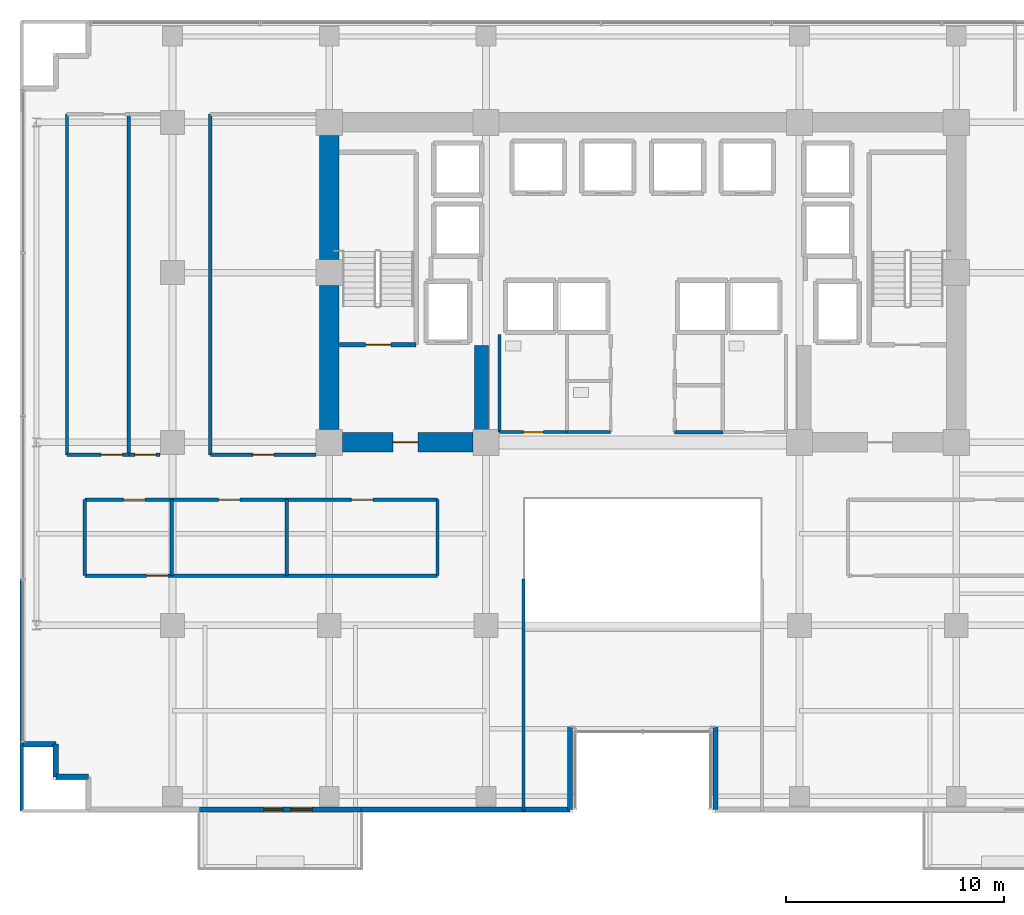
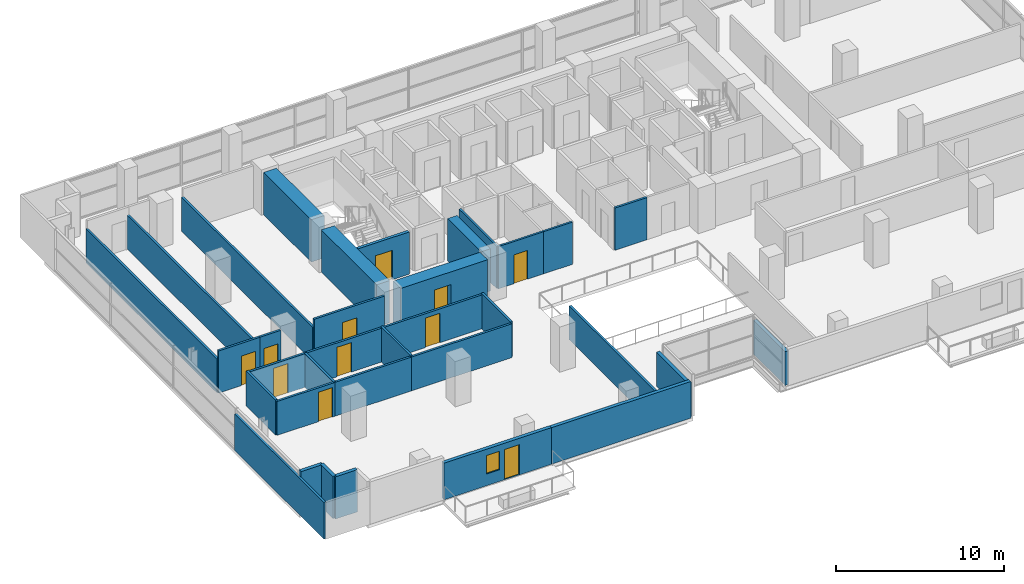
# One storey, part 19 of 26: 34 walls, 11 doors, 1 window, 12 openings.
"""IFC4 building model written with IfcOpenShell, lengths in metres."""

from ifc_helpers import new_model, si_unit, direction, frame, frame_2d, origin, place, context, subcontext, project, spatial, rectangle, extrude, source, transform, mapped, material, layer, layer_set, type_object, element, fill, save


model = new_model("IFC4")

# Units and contexts
model_context = context("Model", 3, precision=1e-05, world=origin(), true_north=direction((0.0, 1.0)))
body_context = subcontext(model_context, "Body", "Model", "MODEL_VIEW")
ifc_project = project(units=[si_unit("LENGTHUNIT", "METRE"), si_unit("AREAUNIT", "SQUARE_METRE"), si_unit("VOLUMEUNIT", "CUBIC_METRE"), si_unit("PLANEANGLEUNIT", "RADIAN"), si_unit("MASSUNIT", "GRAM", prefix="KILO")], contexts=[model_context])

# Site, building, storey
site_placement = place(None, origin())
site = spatial("IfcSite", under=ifc_project, at=site_placement, CompositionType="ELEMENT")
building_placement = place(site_placement, origin())
building = spatial("IfcBuilding", under=site, at=building_placement, Name="Zarnakvel Exchange Tower", CompositionType="ELEMENT")
storey_placement = place(building_placement, frame((0.0, 0.0, 70.300048828125)))
storey = spatial("IfcBuildingStorey", under=building, at=storey_placement, Name="L19", CompositionType="ELEMENT", Elevation=70.300048828125)

# Walls
ifc_material_1 = material(Name="Concrete C80/95", Category="concrete")
ifc_layer_1 = layer(ifc_material_1, 0.89990234375)
ifc_layer_set_1 = layer_set([ifc_layer_1], Name="Concrete C80/95")
wall_type_1 = type_object("IfcWallType", Name="CW-C1", PredefinedType="SHEAR", material=ifc_layer_set_1)
wall_1_placement = place(storey_placement, frame((-14.39990234375, -0.60009765625, 0.0), z_axis=(0.0, 0.0, 1.0), x_axis=(0.0, 1.0, 0.0)))
element("IfcWall", 1, at=wall_1_placement, inside=storey, type_object=wall_type_1, Name="L19 Rear Core Shear Wall W1 (CW-C1)", PredefinedType="SHEAR", context=body_context, shape_type="SweptSolid", body=[
    extrude(rectangle(XDim=6.60009765625, YDim=0.89990234375, at=frame_2d((3.300048828125, 0.0))), origin(), (0.0, 0.0, 1.0), 3.074951171875),
])
wall_2_placement = place(storey_placement, frame((-14.39990234375, 7.199951171875, 0.0), z_axis=(0.0, 0.0, 1.0), x_axis=(0.0, 1.0, 0.0)))
element("IfcWall", 2, at=wall_2_placement, inside=storey, type_object=wall_type_1, Name="L19 Rear Core Shear Wall W2 (CW-C1)", PredefinedType="SHEAR", context=body_context, shape_type="SweptSolid", body=[
    extrude(rectangle(XDim=5.699951171875, YDim=0.89990234375, at=frame_2d((2.85009765625, 0.0))), origin(), (0.0, 0.0, 1.0), 3.074951171875),
])

# Wall, opening, door
wall_3_placement = place(storey_placement, frame((-7.800048828125, -1.199951171875, 0.0), z_axis=(0.0, 0.0, 1.0), x_axis=(-1.0, 0.0, 0.0)))
wall_3 = element("IfcWall", 3, at=wall_3_placement, inside=storey, type_object=wall_type_1, Name="L19 Rear Core Shear Wall SW (CW-C1)", PredefinedType="SHEAR", context=body_context, shape_type="SweptSolid", body=[
    extrude(rectangle(XDim=6.0, YDim=0.89990234375, at=frame_2d((3.0, 0.0))), origin(), (0.0, 0.0, 1.0), 3.074951171875),
])
opening_1_placement = place(wall_3_placement, frame((2.52490234375, 0.0, 0.0)))
opening_1 = element("IfcOpeningElement", 4, at=opening_1_placement, cuts=wall_3, Name="Opening D-L19-03", PredefinedType="OPENING", context=body_context, shape_type="SweptSolid", body=[
    extrude(rectangle(XDim=1.14990234375, YDim=2.14990234375, at=frame_2d((0.574951171875, 1.074951171875))), frame((0.0, 0.4599609375, 0.0), z_axis=(0.0, -1.0, 0.0), x_axis=(1.0, 0.0, 0.0)), (0.0, 0.0, 1.0), 0.919921875),
])
ifc_material_2 = material(Name="Painted Galvanised Steel S355", Category="steel")
door_type_1 = type_object("IfcDoorType", Name="DT-04", OperationType="NOTDEFINED", PredefinedType="DOOR", material=ifc_material_2)
shared_shape_1 = source(origin(), body_context, "Body", "SweptSolid", [
    extrude(rectangle(XDim=1.14990234375, YDim=2.14990234375, at=frame_2d((0.574951171875, 1.074951171875))), frame((0.0, 0.02490234375, 0.0), z_axis=(0.0, -1.0, 0.0), x_axis=(1.0, 0.0, 0.0)), (0.0, 0.0, 1.0), 0.050048828125),
])
door_1_placement = place(opening_1_placement, origin())
door_1 = element("IfcDoor", 5, at=door_1_placement, inside=storey, type_object=door_type_1, Name="L19 Firefighting Lobby West Door D-L19-03", OperationType="SINGLE_SWING_LEFT", OverallHeight=2.14990234375, OverallWidth=1.14990234375, PredefinedType="DOOR", context=body_context, shape_type="MappedRepresentation", body=[
    mapped(shared_shape_1, transform((0.0, 0.0, 0.0), x_axis=(1.0, 0.0, 0.0), y_axis=(0.0, 1.0, 0.0), z_axis=(0.0, 0.0, 1.0), scale=1.0)),
])
fill(opening_1, door_1)

# Wall
ifc_layer_2 = layer(ifc_material_1, 0.64990234375)
ifc_layer_set_2 = layer_set([ifc_layer_2], Name="Concrete C80/95")
wall_type_2 = type_object("IfcWallType", Name="CW-C2", PredefinedType="SHEAR", material=ifc_layer_set_2)
wall_4_placement = place(storey_placement, frame((-7.39990234375, -0.75, 0.0), z_axis=(0.0, 0.0, 1.0), x_axis=(0.0, 1.0, 0.0)))
element("IfcWall", 6, at=wall_4_placement, inside=storey, type_object=wall_type_2, Name="L19 Rear Core Shear Wall IW (CW-C2)", PredefinedType="SHEAR", context=body_context, shape_type="SweptSolid", body=[
    extrude(rectangle(XDim=4.0, YDim=0.64990234375, at=frame_2d((2.0, 0.0))), origin(), (0.0, 0.0, 1.0), 3.074951171875),
])

# Wall, openings, door, window
ifc_material_3 = material(Name="Precast concrete C40/50", Category="concrete")
ifc_layer_3 = layer(ifc_material_3, 0.239990234375)
ifc_layer_set_3 = layer_set([ifc_layer_3], Name="Precast concrete C40/50")
wall_type_3 = type_object("IfcWallType", Name="EW-02", PredefinedType="SOLIDWALL", material=ifc_layer_set_3)
wall_5_placement = place(storey_placement, frame((-12.949951171875, -18.06005859375, 0.0), z_axis=(0.0, 0.0, 1.0), x_axis=(-1.0, 0.0, 0.0)))
wall_5 = element("IfcWall", 7, at=wall_5_placement, inside=storey, type_object=wall_type_3, Name="L19 Exterior Precast Spandrel Wall EW-BAL-L19-SW (EW-02)", PredefinedType="SOLIDWALL", context=body_context, shape_type="SweptSolid", body=[
    extrude(rectangle(XDim=7.400146484375, YDim=0.239990234375, at=frame_2d((3.7001953125, 0.0))), origin(), (0.0, 0.0, 1.0), 2.6650390625),
])
opening_2_placement = place(wall_5_placement, frame((2.219970703125, 0.0, 0.0)))
opening_2 = element("IfcOpeningElement", 8, at=opening_2_placement, cuts=wall_5, Name="Opening BD-L19-01", PredefinedType="OPENING", context=body_context, shape_type="SweptSolid", body=[
    extrude(rectangle(XDim=1.0, YDim=2.199951171875, at=frame_2d((0.5, 1.10009765625))), frame((0.0, 0.1298828125, 0.0), z_axis=(0.0, -1.0, 0.0), x_axis=(1.0, 0.0, 0.0)), (0.0, 0.0, 1.0), 0.260009765625),
])
opening_3_placement = place(wall_5_placement, frame((3.570068359375, 0.0, 0.85009765625)))
opening_3 = element("IfcOpeningElement", 9, at=opening_3_placement, cuts=wall_5, Name="Opening WN-06", PredefinedType="OPENING", context=body_context, shape_type="SweptSolid", body=[
    extrude(rectangle(XDim=0.89990234375, YDim=1.35009765625, at=frame_2d((0.449951171875, 0.675048828125))), frame((0.0, 0.1298828125, 0.0), z_axis=(0.0, -1.0, 0.0), x_axis=(1.0, 0.0, 0.0)), (0.0, 0.0, 1.0), 0.260009765625),
])
ifc_material_4 = material(Name="Architectural Bronze Anodised Aluminium", Category="aluminium")
door_type_2 = type_object("IfcDoorType", Name="DT-09", OperationType="NOTDEFINED", PredefinedType="DOOR", material=ifc_material_4)
shared_shape_2 = source(origin(), body_context, "Body", "SweptSolid", [
    extrude(rectangle(XDim=1.0, YDim=2.199951171875, at=frame_2d((0.5, 1.10009765625))), frame((0.0, 0.02490234375, 0.0), z_axis=(0.0, -1.0, 0.0), x_axis=(1.0, 0.0, 0.0)), (0.0, 0.0, 1.0), 0.050048828125),
])
door_2_placement = place(opening_2_placement, origin())
door_2 = element("IfcDoor", 10, at=door_2_placement, inside=storey, type_object=door_type_2, Name="L19 Planted Loggia Balcony Door BD-L19-01", OperationType="SINGLE_SWING_LEFT", OverallHeight=2.199951171875, OverallWidth=1.0, PredefinedType="DOOR", context=body_context, shape_type="MappedRepresentation", body=[
    mapped(shared_shape_2, transform((0.0, 0.0, 0.0), x_axis=(1.0, 0.0, 0.0), y_axis=(0.0, 1.0, 0.0), z_axis=(0.0, 0.0, 1.0), scale=1.0)),
])
fill(opening_2, door_2)
ifc_material_5 = material(Name="Double Low-E Laminated Vision Glass", Category="glass")
window_type = type_object("IfcWindowType", Name="WN-06", PartitioningType="SINGLE_PANEL", PredefinedType="WINDOW", material=ifc_material_5)
shared_shape_3 = source(origin(), body_context, "Body", "SweptSolid", [
    extrude(rectangle(XDim=0.89990234375, YDim=1.35009765625, at=frame_2d((0.449951171875, 0.675048828125))), frame((0.0, 0.030029296875, 0.0), z_axis=(0.0, -1.0, 0.0), x_axis=(1.0, 0.0, 0.0)), (0.0, 0.0, 1.0), 0.06005859375),
])
window_placement = place(opening_3_placement, origin())
window = element("IfcWindow", 11, at=window_placement, inside=storey, type_object=window_type, Name="L19 Loggia Daylight Window (WN-06)", OverallHeight=1.35009765625, OverallWidth=0.89990234375, PartitioningType="SINGLE_PANEL", PredefinedType="WINDOW", context=body_context, shape_type="MappedRepresentation", body=[
    mapped(shared_shape_3, transform((0.0, 0.0, 0.0), x_axis=(1.0, 0.0, 0.0), y_axis=(0.0, 1.0, 0.0), z_axis=(0.0, 0.0, 1.0), scale=1.0)),
])
fill(opening_3, window)

# Walls
for number, where, z_axis, x_axis, name in (
    (12, (3.340087890625, -14.260009765625, 0.0), (0.0, 0.0, 1.0), (0.0, -1.0, 0.0), "L19 Exterior Precast Spandrel Wall EWC-L19-17 (EW-02)"),
    (13, (-3.340087890625, -18.06005859375, 0.0), (0.0, 0.0, 1.0), (0.0, 1.0, 0.0), "L19 Exterior Precast Spandrel Wall EWC-L19-20 (EW-02)"),
):
    element("IfcWall", number, at=place(storey_placement, frame(where, z_axis=z_axis, x_axis=x_axis)), inside=storey, type_object=wall_type_3, Name=name, PredefinedType="SOLIDWALL", context=body_context, shape_type="SweptSolid", body=[
        extrude(rectangle(XDim=3.800048828125, YDim=0.239990234375, at=frame_2d((1.89990234375, 0.0))), origin(), (0.0, 0.0, 1.0), 2.46484375),
    ])
wall_6_placement = place(storey_placement, frame((-12.949951171875, -18.06005859375, 0.0), z_axis=(0.0, 0.0, 1.0), x_axis=(1.0, 0.0, 0.0)))
element("IfcWall", 14, at=wall_6_placement, inside=storey, type_object=wall_type_3, Name="L19 Exterior Precast Spandrel Wall EWC-L19-21 (EW-02)", PredefinedType="SOLIDWALL", context=body_context, shape_type="SweptSolid", body=[
    extrude(rectangle(XDim=9.60986328125, YDim=0.239990234375, at=frame_2d((4.804931640625, 0.0))), origin(), (0.0, 0.0, 1.0), 2.6650390625),
])
for number, where, z_axis, x_axis, name in (
    (15, (-26.9599609375, -16.56005859375, 0.0), (0.0, 0.0, 1.0), (1.0, 0.0, 0.0), "L19 Exterior Precast Spandrel Wall EWC-L19-24 (EW-02)"),
    (16, (-26.9599609375, -15.06005859375, 0.0), (0.0, 0.0, 1.0), (0.0, -1.0, 0.0), "L19 Exterior Precast Spandrel Wall EWC-L19-25 (EW-02)"),
    (17, (-28.4599609375, -15.06005859375, 0.0), (0.0, 0.0, 1.0), (1.0, 0.0, 0.0), "L19 Exterior Precast Spandrel Wall EWC-L19-26 (EW-02)"),
):
    element("IfcWall", number, at=place(storey_placement, frame(where, z_axis=z_axis, x_axis=x_axis)), inside=storey, type_object=wall_type_3, Name=name, PredefinedType="SOLIDWALL", context=body_context, shape_type="SweptSolid", body=[
        extrude(rectangle(XDim=1.5, YDim=0.239990234375, at=frame_2d((0.75, 0.0))), origin(), (0.0, 0.0, 1.0), 3.074951171875),
    ])
ifc_material_6 = material(Name="Fire-Rated Gypsum Stud Partition", Category="gypsum")
ifc_layer_4 = layer(ifc_material_6, 0.14990234375)
ifc_layer_set_4 = layer_set([ifc_layer_4], Name="Fire-Rated Gypsum Stud Partition")
wall_type_4 = type_object("IfcWallType", Name="PT-01", PredefinedType="PARTITIONING", material=ifc_layer_set_4)
wall_7_placement = place(storey_placement, frame((3.679931640625, -0.72998046875, 0.0), z_axis=(0.0, 0.0, 1.0), x_axis=(-1.0, 0.0, 0.0)))
element("IfcWall", 18, at=wall_7_placement, inside=storey, type_object=wall_type_4, Name="L19 Partition Wall PWALL-L19-018 (PT-01)", PredefinedType="PARTITIONING", context=body_context, shape_type="SweptSolid", body=[
    extrude(rectangle(XDim=2.2099609375, YDim=0.14990234375, at=frame_2d((1.10498046875, 0.0))), origin(), (0.0, 0.0, 1.0), 3.074951171875),
])

# Wall, opening, door
wall_8_placement = place(storey_placement, frame((-21.630126953125, -7.320068359375, 0.0), z_axis=(0.0, 0.0, 1.0), x_axis=(-1.0, 0.0, 0.0)))
wall_8 = element("IfcWall", 19, at=wall_8_placement, inside=storey, type_object=wall_type_4, Name="L19 Partition Wall PWALL-L19-026 (PT-01)", PredefinedType="PARTITIONING", context=body_context, shape_type="SweptSolid", body=[
    extrude(rectangle(XDim=3.998291015625, YDim=0.14990234375, at=frame_2d((1.9990234375, 0.0))), origin(), (0.0, 0.0, 1.0), 2.46484375),
])
opening_4_placement = place(wall_8_placement, frame((0.179931640625, 0.0, 0.0)))
opening_4 = element("IfcOpeningElement", 20, at=opening_4_placement, cuts=wall_8, Name="Opening D-L19-14", PredefinedType="OPENING", context=body_context, shape_type="SweptSolid", body=[
    extrude(rectangle(XDim=0.97998046875, YDim=2.14990234375, at=frame_2d((0.489990234375, 1.074951171875))), frame((0.0, 0.0849609375, 0.0), z_axis=(0.0, -1.0, 0.0), x_axis=(1.0, 0.0, 0.0)), (0.0, 0.0, 1.0), 0.169921875),
])
ifc_material_7 = material(Name="Timber Acoustic Veneer", Category="wood")
door_type_3 = type_object("IfcDoorType", Name="DT-05", OperationType="NOTDEFINED", PredefinedType="DOOR", material=ifc_material_7)
shared_shape_4 = source(origin(), body_context, "Body", "SweptSolid", [
    extrude(rectangle(XDim=0.97998046875, YDim=2.14990234375, at=frame_2d((0.489990234375, 1.074951171875))), frame((0.0, 0.02490234375, 0.0), z_axis=(0.0, -1.0, 0.0), x_axis=(1.0, 0.0, 0.0)), (0.0, 0.0, 1.0), 0.050048828125),
])
door_3_placement = place(opening_4_placement, origin())
door_3 = element("IfcDoor", 21, at=door_3_placement, inside=storey, type_object=door_type_3, Name="L19 Equities Trading Floor Door D-L19-14", OperationType="SINGLE_SWING_RIGHT", OverallHeight=2.14990234375, OverallWidth=0.97998046875, PredefinedType="DOOR", context=body_context, shape_type="MappedRepresentation", body=[
    mapped(shared_shape_4, transform((0.0, 0.0, 0.0), x_axis=(1.0, 0.0, 0.0), y_axis=(0.0, 1.0, 0.0), z_axis=(0.0, 0.0, 1.0), scale=1.0)),
])
fill(opening_4, door_3)

wall_9_placement = place(storey_placement, frame((-25.62841796875, -3.830078125, 0.0), z_axis=(0.0, 0.0, 1.0), x_axis=(1.0, 0.0, 0.0)))
wall_9 = element("IfcWall", 22, at=wall_9_placement, inside=storey, type_object=wall_type_4, Name="L19 Partition Wall PWALL-L19-027 (PT-01)", PredefinedType="PARTITIONING", context=body_context, shape_type="SweptSolid", body=[
    extrude(rectangle(XDim=3.998291015625, YDim=0.14990234375, at=frame_2d((1.9990234375, 0.0))), origin(), (0.0, 0.0, 1.0), 2.46484375),
])
opening_5_placement = place(wall_9_placement, frame((1.783447265625, 0.0, 0.0)))
opening_5 = element("IfcOpeningElement", 23, at=opening_5_placement, cuts=wall_9, Name="Opening D-L19-11", PredefinedType="OPENING", context=body_context, shape_type="SweptSolid", body=[
    extrude(rectangle(XDim=0.97998046875, YDim=2.14990234375, at=frame_2d((0.489990234375, 1.074951171875))), frame((0.0, 0.0849609375, 0.0), z_axis=(0.0, -1.0, 0.0), x_axis=(1.0, 0.0, 0.0)), (0.0, 0.0, 1.0), 0.169921875),
])
door_4_placement = place(opening_5_placement, origin())
door_4 = element("IfcDoor", 24, at=door_4_placement, inside=storey, type_object=door_type_3, Name="L19 Asset Management Office Door D-L19-11", OperationType="SINGLE_SWING_LEFT", OverallHeight=2.14990234375, OverallWidth=0.97998046875, PredefinedType="DOOR", context=body_context, shape_type="MappedRepresentation", body=[
    mapped(shared_shape_4, transform((0.0, 0.0, 0.0), x_axis=(1.0, 0.0, 0.0), y_axis=(0.0, 1.0, 0.0), z_axis=(0.0, 0.0, 1.0), scale=1.0)),
])
fill(opening_5, door_4)

# Walls
wall_10_placement = place(storey_placement, frame((-25.62841796875, -7.320068359375, 0.0), z_axis=(0.0, 0.0, 1.0), x_axis=(0.0, 1.0, 0.0)))
element("IfcWall", 25, at=wall_10_placement, inside=storey, type_object=wall_type_4, Name="L19 Partition Wall PWALL-L19-028 (PT-01)", PredefinedType="PARTITIONING", context=body_context, shape_type="SweptSolid", body=[
    extrude(rectangle(XDim=3.489990234375, YDim=0.14990234375, at=frame_2d((1.7451171875, 0.0))), origin(), (0.0, 0.0, 1.0), 2.56494140625),
])
wall_11_placement = place(storey_placement, frame((-21.630126953125, -3.830078125, 0.0), z_axis=(0.0, 0.0, 1.0), x_axis=(0.0, -1.0, 0.0)))
element("IfcWall", 26, at=wall_11_placement, inside=storey, type_object=wall_type_4, Name="L19 Partition Wall PWALL-L19-029 (PT-01)", PredefinedType="PARTITIONING", context=body_context, shape_type="SweptSolid", body=[
    extrude(rectangle(XDim=3.489990234375, YDim=0.14990234375, at=frame_2d((1.7451171875, 0.0))), origin(), (0.0, 0.0, 1.0), 2.46484375),
])
wall_12_placement = place(storey_placement, frame((-16.3525390625, -7.320068359375, 0.0), z_axis=(0.0, 0.0, 1.0), x_axis=(-1.0, 0.0, 0.0)))
element("IfcWall", 27, at=wall_12_placement, inside=storey, type_object=wall_type_4, Name="L19 Partition Wall PWALL-L19-030 (PT-01)", PredefinedType="PARTITIONING", context=body_context, shape_type="SweptSolid", body=[
    extrude(rectangle(XDim=5.277587890625, YDim=0.14990234375, at=frame_2d((2.638671875, 0.0))), origin(), (0.0, 0.0, 1.0), 2.46484375),
])

# Wall, opening, door
wall_13_placement = place(storey_placement, frame((-21.630126953125, -3.830078125, 0.0), z_axis=(0.0, 0.0, 1.0), x_axis=(1.0, 0.0, 0.0)))
wall_13 = element("IfcWall", 28, at=wall_13_placement, inside=storey, type_object=wall_type_4, Name="L19 Partition Wall PWALL-L19-031 (PT-01)", PredefinedType="PARTITIONING", context=body_context, shape_type="SweptSolid", body=[
    extrude(rectangle(XDim=5.277587890625, YDim=0.14990234375, at=frame_2d((2.638671875, 0.0))), origin(), (0.0, 0.0, 1.0), 2.46484375),
])
opening_6_placement = place(wall_13_placement, frame((2.149169921875, 0.0, 0.0)))
opening_6 = element("IfcOpeningElement", 29, at=opening_6_placement, cuts=wall_13, Name="Opening D-L19-12", PredefinedType="OPENING", context=body_context, shape_type="SweptSolid", body=[
    extrude(rectangle(XDim=0.97998046875, YDim=2.14990234375, at=frame_2d((0.489990234375, 1.074951171875))), frame((0.0, 0.0849609375, 0.0), z_axis=(0.0, -1.0, 0.0), x_axis=(1.0, 0.0, 0.0)), (0.0, 0.0, 1.0), 0.169921875),
])
door_5_placement = place(opening_6_placement, origin())
door_5 = element("IfcDoor", 30, at=door_5_placement, inside=storey, type_object=door_type_3, Name="L19 Meeting Room Door D-L19-12", OperationType="SINGLE_SWING_RIGHT", OverallHeight=2.14990234375, OverallWidth=0.97998046875, PredefinedType="DOOR", context=body_context, shape_type="MappedRepresentation", body=[
    mapped(shared_shape_4, transform((0.0, 0.0, 0.0), x_axis=(1.0, 0.0, 0.0), y_axis=(0.0, 1.0, 0.0), z_axis=(0.0, 0.0, 1.0), scale=1.0)),
])
fill(opening_6, door_5)

# Walls
wall_14_placement = place(storey_placement, frame((-16.3525390625, -3.830078125, 0.0), z_axis=(0.0, 0.0, 1.0), x_axis=(0.0, -1.0, 0.0)))
element("IfcWall", 31, at=wall_14_placement, inside=storey, type_object=wall_type_4, Name="L19 Partition Wall PWALL-L19-032 (PT-01)", PredefinedType="PARTITIONING", context=body_context, shape_type="SweptSolid", body=[
    extrude(rectangle(XDim=3.489990234375, YDim=0.14990234375, at=frame_2d((1.7451171875, 0.0))), origin(), (0.0, 0.0, 1.0), 2.56494140625),
])
wall_15_placement = place(storey_placement, frame((-9.429931640625, -7.320068359375, 0.0), z_axis=(0.0, 0.0, 1.0), x_axis=(-1.0, 0.0, 0.0)))
element("IfcWall", 32, at=wall_15_placement, inside=storey, type_object=wall_type_4, Name="L19 Partition Wall PWALL-L19-033 (PT-01)", PredefinedType="PARTITIONING", context=body_context, shape_type="SweptSolid", body=[
    extrude(rectangle(XDim=6.922607421875, YDim=0.14990234375, at=frame_2d((3.46142578125, 0.0))), origin(), (0.0, 0.0, 1.0), 2.46484375),
])

# Wall, opening, door
wall_16_placement = place(storey_placement, frame((-16.3525390625, -3.830078125, 0.0), z_axis=(0.0, 0.0, 1.0), x_axis=(1.0, 0.0, 0.0)))
wall_16 = element("IfcWall", 33, at=wall_16_placement, inside=storey, type_object=wall_type_4, Name="L19 Partition Wall PWALL-L19-034 (PT-01)", PredefinedType="PARTITIONING", context=body_context, shape_type="SweptSolid", body=[
    extrude(rectangle(XDim=6.922607421875, YDim=0.14990234375, at=frame_2d((3.46142578125, 0.0))), origin(), (0.0, 0.0, 1.0), 2.46484375),
])
opening_7_placement = place(wall_16_placement, frame((2.9716796875, 0.0, 0.0)))
opening_7 = element("IfcOpeningElement", 34, at=opening_7_placement, cuts=wall_16, Name="Opening D-L19-13", PredefinedType="OPENING", context=body_context, shape_type="SweptSolid", body=[
    extrude(rectangle(XDim=0.97998046875, YDim=2.14990234375, at=frame_2d((0.489990234375, 1.074951171875))), frame((0.0, 0.0849609375, 0.0), z_axis=(0.0, -1.0, 0.0), x_axis=(1.0, 0.0, 0.0)), (0.0, 0.0, 1.0), 0.169921875),
])
door_6_placement = place(opening_7_placement, origin())
door_6 = element("IfcDoor", 35, at=door_6_placement, inside=storey, type_object=door_type_3, Name="L19 Executive Office Door D-L19-13", OperationType="SINGLE_SWING_LEFT", OverallHeight=2.14990234375, OverallWidth=0.97998046875, PredefinedType="DOOR", context=body_context, shape_type="MappedRepresentation", body=[
    mapped(shared_shape_4, transform((0.0, 0.0, 0.0), x_axis=(1.0, 0.0, 0.0), y_axis=(0.0, 1.0, 0.0), z_axis=(0.0, 0.0, 1.0), scale=1.0)),
])
fill(opening_7, door_6)

# Walls
wall_17_placement = place(storey_placement, frame((-9.429931640625, -3.830078125, 0.0), z_axis=(0.0, 0.0, 1.0), x_axis=(0.0, -1.0, 0.0)))
element("IfcWall", 36, at=wall_17_placement, inside=storey, type_object=wall_type_4, Name="L19 Partition Wall PWALL-L19-035 (PT-01)", PredefinedType="PARTITIONING", context=body_context, shape_type="SweptSolid", body=[
    extrude(rectangle(XDim=3.489990234375, YDim=0.14990234375, at=frame_2d((1.7451171875, 0.0))), origin(), (0.0, 0.0, 1.0), 2.56494140625),
])
wall_18_placement = place(storey_placement, frame((-28.530029296875, -18.1298828125, 0.0), z_axis=(0.0, 0.0, 1.0), x_axis=(0.0, 1.0, 0.0)))
element("IfcWall", 37, at=wall_18_placement, inside=storey, type_object=wall_type_4, Name="L19 Partition Wall PWALL-L19-037 (PT-01)", PredefinedType="PARTITIONING", context=body_context, shape_type="SweptSolid", body=[
    extrude(rectangle(XDim=10.64990234375, YDim=0.14990234375, at=frame_2d((5.324951171875, 0.0))), origin(), (0.0, 0.0, 1.0), 2.6650390625),
])
wall_19_placement = place(storey_placement, frame((-5.47998046875, -7.47998046875, 0.0), z_axis=(0.0, 0.0, 1.0), x_axis=(0.0, -1.0, 0.0)))
element("IfcWall", 38, at=wall_19_placement, inside=storey, type_object=wall_type_4, Name="L19 Partition Wall PWALL-L19-038 (PT-01)", PredefinedType="PARTITIONING", context=body_context, shape_type="SweptSolid", body=[
    extrude(rectangle(XDim=10.64990234375, YDim=0.14990234375, at=frame_2d((5.324951171875, 0.0))), origin(), (0.0, 0.0, 1.0), 2.46484375),
])

# Wall, opening, door
wall_20_placement = place(storey_placement, frame((-23.60498046875, -1.77001953125, 0.0), z_axis=(0.0, 0.0, 1.0), x_axis=(-1.0, 0.0, 0.0)))
wall_20 = element("IfcWall", 39, at=wall_20_placement, inside=storey, type_object=wall_type_4, Name="L19 Partition Wall PWALL-L19-049 (PT-01)", PredefinedType="PARTITIONING", context=body_context, shape_type="SweptSolid", body=[
    extrude(rectangle(XDim=2.84619140625, YDim=0.14990234375, at=frame_2d((1.423095703125, 0.0))), origin(), (0.0, 0.0, 1.0), 3.074951171875),
])
opening_8_placement = place(wall_20_placement, frame((0.2900390625, 0.0, 0.0)))
opening_8 = element("IfcOpeningElement", 40, at=opening_8_placement, cuts=wall_20, Name="Opening D-L19-18", PredefinedType="OPENING", context=body_context, shape_type="SweptSolid", body=[
    extrude(rectangle(XDim=0.97998046875, YDim=2.14990234375, at=frame_2d((0.489990234375, 1.074951171875))), frame((0.0, 0.0849609375, 0.0), z_axis=(0.0, -1.0, 0.0), x_axis=(1.0, 0.0, 0.0)), (0.0, 0.0, 1.0), 0.169921875),
])
door_7_placement = place(opening_8_placement, origin())
door_7 = element("IfcDoor", 41, at=door_7_placement, inside=storey, type_object=door_type_3, Name="L19 Staff Pantry Door D-L19-18", OperationType="SINGLE_SWING_RIGHT", OverallHeight=2.14990234375, OverallWidth=0.97998046875, PredefinedType="DOOR", context=body_context, shape_type="MappedRepresentation", body=[
    mapped(shared_shape_4, transform((0.0, 0.0, 0.0), x_axis=(1.0, 0.0, 0.0), y_axis=(0.0, 1.0, 0.0), z_axis=(0.0, 0.0, 1.0), scale=1.0)),
])
fill(opening_8, door_7)

# Walls
for number, where, z_axis, x_axis, name in (
    (42, (-26.451171875, -1.77001953125, 0.0), (0.0, 0.0, 1.0), (0.0, 1.0, 0.0), "L19 Partition Wall PWALL-L19-051 (PT-01)"),
    (43, (-23.60498046875, 13.8798828125, 0.0), (0.0, 0.0, 1.0), (0.0, -1.0, 0.0), "L19 Partition Wall PWALL-L19-052 (PT-01)"),
):
    element("IfcWall", number, at=place(storey_placement, frame(where, z_axis=z_axis, x_axis=x_axis)), inside=storey, type_object=wall_type_4, Name=name, PredefinedType="PARTITIONING", context=body_context, shape_type="SweptSolid", body=[
        extrude(rectangle(XDim=15.64990234375, YDim=0.14990234375, at=frame_2d((7.824951171875, 0.0))), origin(), (0.0, 0.0, 1.0), 2.46484375),
    ])

# Wall, opening, door
wall_21_placement = place(storey_placement, frame((-22.169921875, -1.77001953125, 0.0), z_axis=(0.0, 0.0, 1.0), x_axis=(-1.0, 0.0, 0.0)))
wall_21 = element("IfcWall", 44, at=wall_21_placement, inside=storey, type_object=wall_type_4, Name="L19 Partition Wall PWALL-L19-053 (PT-01)", PredefinedType="PARTITIONING", context=body_context, shape_type="SweptSolid", body=[
    extrude(rectangle(XDim=1.43505859375, YDim=0.14990234375, at=frame_2d((0.717529296875, 0.0))), origin(), (0.0, 0.0, 1.0), 3.074951171875),
])
opening_9_placement = place(wall_21_placement, frame((0.179931640625, 0.0, 0.0)))
opening_9 = element("IfcOpeningElement", 45, at=opening_9_placement, cuts=wall_21, Name="Opening D-L19-19", PredefinedType="OPENING", context=body_context, shape_type="SweptSolid", body=[
    extrude(rectangle(XDim=0.97998046875, YDim=2.14990234375, at=frame_2d((0.489990234375, 1.074951171875))), frame((0.0, 0.0849609375, 0.0), z_axis=(0.0, -1.0, 0.0), x_axis=(1.0, 0.0, 0.0)), (0.0, 0.0, 1.0), 0.169921875),
])
door_8_placement = place(opening_9_placement, origin())
door_8 = element("IfcDoor", 46, at=door_8_placement, inside=storey, type_object=door_type_3, Name="L19 Risk Analytics Suite Door D-L19-19", OperationType="SINGLE_SWING_LEFT", OverallHeight=2.14990234375, OverallWidth=0.97998046875, PredefinedType="DOOR", context=body_context, shape_type="MappedRepresentation", body=[
    mapped(shared_shape_4, transform((0.0, 0.0, 0.0), x_axis=(1.0, 0.0, 0.0), y_axis=(0.0, 1.0, 0.0), z_axis=(0.0, 0.0, 1.0), scale=1.0)),
])
fill(opening_9, door_8)

# Wall
wall_22_placement = place(storey_placement, frame((-19.863037109375, 13.8798828125, 0.0), z_axis=(0.0, 0.0, 1.0), x_axis=(0.0, -1.0, 0.0)))
element("IfcWall", 47, at=wall_22_placement, inside=storey, type_object=wall_type_4, Name="L19 Partition Wall PWALL-L19-055 (PT-01)", PredefinedType="PARTITIONING", context=body_context, shape_type="SweptSolid", body=[
    extrude(rectangle(XDim=15.64990234375, YDim=0.14990234375, at=frame_2d((7.824951171875, 0.0))), origin(), (0.0, 0.0, 1.0), 2.46484375),
])

# Wall, opening, door
wall_23_placement = place(storey_placement, frame((-15.02001953125, -1.77001953125, 0.0), z_axis=(0.0, 0.0, 1.0), x_axis=(-1.0, 0.0, 0.0)))
wall_23 = element("IfcWall", 48, at=wall_23_placement, inside=storey, type_object=wall_type_4, Name="L19 Partition Wall PWALL-L19-056 (PT-01)", PredefinedType="PARTITIONING", context=body_context, shape_type="SweptSolid", body=[
    extrude(rectangle(XDim=4.843017578125, YDim=0.14990234375, at=frame_2d((2.42138671875, 0.0))), origin(), (0.0, 0.0, 1.0), 3.074951171875),
])
opening_10_placement = place(wall_23_placement, frame((1.906982421875, 0.0, 0.0)))
opening_10 = element("IfcOpeningElement", 49, at=opening_10_placement, cuts=wall_23, Name="Opening D-L19-20", PredefinedType="OPENING", context=body_context, shape_type="SweptSolid", body=[
    extrude(rectangle(XDim=0.97998046875, YDim=2.14990234375, at=frame_2d((0.489990234375, 1.074951171875))), frame((0.0, 0.0849609375, 0.0), z_axis=(0.0, -1.0, 0.0), x_axis=(1.0, 0.0, 0.0)), (0.0, 0.0, 1.0), 0.169921875),
])
door_9_placement = place(opening_10_placement, origin())
door_9 = element("IfcDoor", 50, at=door_9_placement, inside=storey, type_object=door_type_3, Name="L19 Members Lounge Door D-L19-20", OperationType="SINGLE_SWING_RIGHT", OverallHeight=2.14990234375, OverallWidth=0.97998046875, PredefinedType="DOOR", context=body_context, shape_type="MappedRepresentation", body=[
    mapped(shared_shape_4, transform((0.0, 0.0, 0.0), x_axis=(1.0, 0.0, 0.0), y_axis=(0.0, 1.0, 0.0), z_axis=(0.0, 0.0, 1.0), scale=1.0)),
])
fill(opening_10, door_9)

ifc_material_8 = material(Name="Moisture-Resistant Tile-Faced Partition", Category="gypsum")
ifc_layer_5 = layer(ifc_material_8, 0.135009765625)
ifc_layer_set_5 = layer_set([ifc_layer_5], Name="Moisture-Resistant Tile-Faced Partition")
wall_type_5 = type_object("IfcWallType", Name="PT-03", PredefinedType="PARTITIONING", material=ifc_layer_set_5)
wall_24_placement = place(storey_placement, frame((-3.469970703125, -0.72998046875, 0.0), z_axis=(0.0, 0.0, 1.0), x_axis=(-1.0, 0.0, 0.0)))
wall_24 = element("IfcWall", 51, at=wall_24_placement, inside=storey, type_object=wall_type_5, Name="L19 Partition Wall PWALL-L19-011 (PT-03)", PredefinedType="PARTITIONING", context=body_context, shape_type="SweptSolid", body=[
    extrude(rectangle(XDim=3.110107421875, YDim=0.135009765625, at=frame_2d((1.55517578125, 0.0))), origin(), (0.0, 0.0, 1.0), 3.074951171875),
])
opening_11_placement = place(wall_24_placement, frame((1.090087890625, 0.0, 0.0)))
opening_11 = element("IfcOpeningElement", 52, at=opening_11_placement, cuts=wall_24, Name="Opening D-L19-05", PredefinedType="OPENING", context=body_context, shape_type="SweptSolid", body=[
    extrude(rectangle(XDim=0.919921875, YDim=2.10009765625, at=frame_2d((0.4599609375, 1.050048828125))), frame((0.0, 0.077392578125, 0.0), z_axis=(0.0, -1.0, 0.0), x_axis=(1.0, 0.0, 0.0)), (0.0, 0.0, 1.0), 0.155029296875),
])
ifc_material_9 = material(Name="Moisture-Resistant Laminate Timber", Category="wood")
door_type_4 = type_object("IfcDoorType", Name="DT-07", OperationType="NOTDEFINED", PredefinedType="DOOR", material=ifc_material_9)
shared_shape_5 = source(origin(), body_context, "Body", "SweptSolid", [
    extrude(rectangle(XDim=0.919921875, YDim=2.10009765625, at=frame_2d((0.4599609375, 1.050048828125))), frame((0.0, 0.02490234375, 0.0), z_axis=(0.0, -1.0, 0.0), x_axis=(1.0, 0.0, 0.0)), (0.0, 0.0, 1.0), 0.050048828125),
])
door_10_placement = place(opening_11_placement, origin())
door_10 = element("IfcDoor", 53, at=door_10_placement, inside=storey, type_object=door_type_4, Name="L19 Male Toilet Door D-L19-05", OperationType="SINGLE_SWING_LEFT", OverallHeight=2.10009765625, OverallWidth=0.919921875, PredefinedType="DOOR", context=body_context, shape_type="MappedRepresentation", body=[
    mapped(shared_shape_5, transform((0.0, 0.0, 0.0), x_axis=(1.0, 0.0, 0.0), y_axis=(0.0, 1.0, 0.0), z_axis=(0.0, 0.0, 1.0), scale=1.0)),
])
fill(opening_11, door_10)

# Walls
wall_25_placement = place(storey_placement, frame((-6.580078125, -0.72998046875, 0.0), z_axis=(0.0, 0.0, 1.0), x_axis=(0.0, 1.0, 0.0)))
element("IfcWall", 54, at=wall_25_placement, inside=storey, type_object=wall_type_5, Name="L19 Partition Wall PWALL-L19-012 (PT-03)", PredefinedType="PARTITIONING", context=body_context, shape_type="SweptSolid", body=[
    extrude(rectangle(XDim=4.489990234375, YDim=0.135009765625, at=frame_2d((2.2451171875, 0.0))), origin(), (0.0, 0.0, 1.0), 3.074951171875),
])
wall_26_placement = place(storey_placement, frame((-1.469970703125, -0.72998046875, 0.0), z_axis=(0.0, 0.0, 1.0), x_axis=(-1.0, 0.0, 0.0)))
element("IfcWall", 55, at=wall_26_placement, inside=storey, type_object=wall_type_5, Name="L19 Partition Wall PWALL-L19-014 (PT-03)", PredefinedType="PARTITIONING", context=body_context, shape_type="SweptSolid", body=[
    extrude(rectangle(XDim=2.0, YDim=0.135009765625, at=frame_2d((1.0, 0.0))), origin(), (0.0, 0.0, 1.0), 3.074951171875),
])

# Wall, opening, door
ifc_material_10 = material(Name="Concrete C40/50", Category="concrete")
ifc_layer_6 = layer(ifc_material_10, 0.199951171875)
ifc_layer_set_6 = layer_set([ifc_layer_6], Name="Concrete C40/50")
wall_type_6 = type_object("IfcWallType", Name="SW-02", PredefinedType="SOLIDWALL", material=ifc_layer_set_6)
wall_27_placement = place(storey_placement, frame((-10.409912109375, 3.2900390625, 0.0), z_axis=(0.0, 0.0, 1.0), x_axis=(-1.0, 0.0, 0.0)))
wall_27 = element("IfcWall", 56, at=wall_27_placement, inside=storey, type_object=wall_type_6, Name="L19 Stairwell Core Wall PWALL-L19-001 (SW-02)", PredefinedType="SOLIDWALL", context=body_context, shape_type="SweptSolid", body=[
    extrude(rectangle(XDim=3.52001953125, YDim=0.199951171875, at=frame_2d((1.760009765625, 0.0))), origin(), (0.0, 0.0, 1.0), 3.074951171875),
])
opening_12_placement = place(wall_27_placement, frame((1.1650390625, 0.0, 0.0)))
opening_12 = element("IfcOpeningElement", 57, at=opening_12_placement, cuts=wall_27, Name="Opening D-L19-01", PredefinedType="OPENING", context=body_context, shape_type="SweptSolid", body=[
    extrude(rectangle(XDim=1.14990234375, YDim=2.14990234375, at=frame_2d((0.574951171875, 1.074951171875))), frame((0.0, 0.10986328125, 0.0), z_axis=(0.0, -1.0, 0.0), x_axis=(1.0, 0.0, 0.0)), (0.0, 0.0, 1.0), 0.219970703125),
])
door_11_placement = place(opening_12_placement, origin())
door_11 = element("IfcDoor", 58, at=door_11_placement, inside=storey, type_object=door_type_1, Name="L19 Stairwell ST-01 Door D-L19-01", OperationType="SINGLE_SWING_LEFT", OverallHeight=2.14990234375, OverallWidth=1.14990234375, PredefinedType="DOOR", context=body_context, shape_type="MappedRepresentation", body=[
    mapped(shared_shape_1, transform((0.0, 0.0, 0.0), x_axis=(1.0, 0.0, 0.0), y_axis=(0.0, 1.0, 0.0), z_axis=(0.0, 0.0, 1.0), scale=1.0)),
])
fill(opening_12, door_11)

save(model, "model.ifc")
